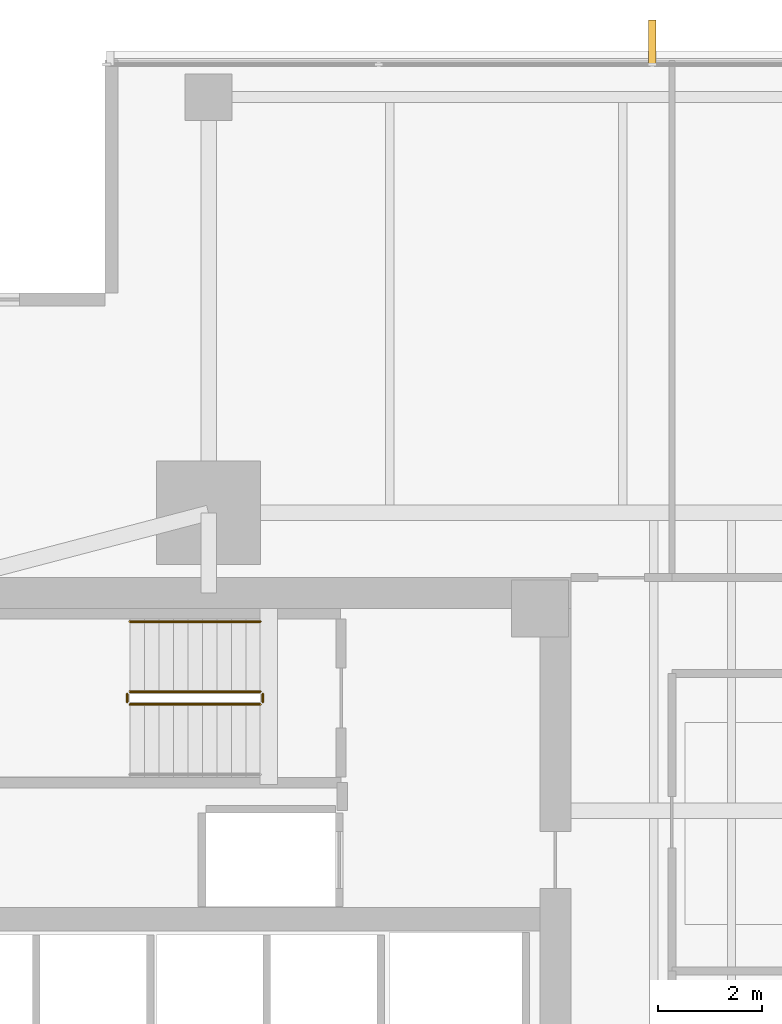
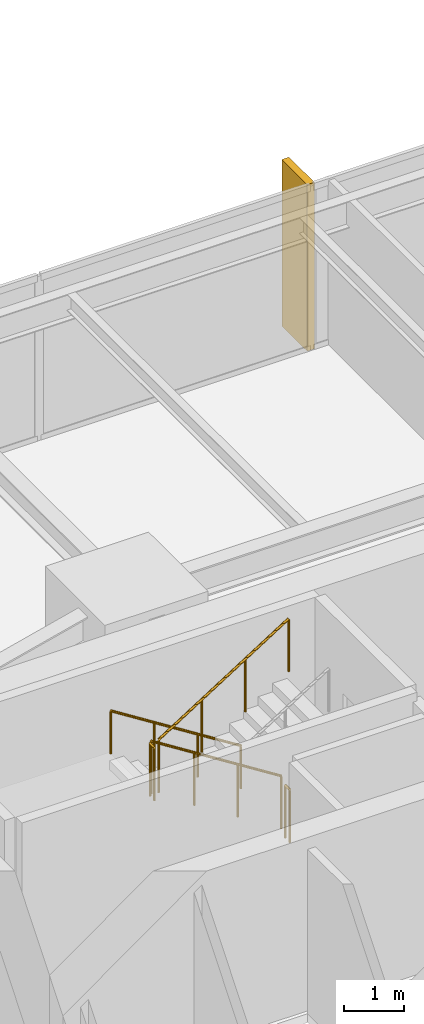
# One storey, part 13 of 14: 5 railings, 1 covering.
"""IFC4 building model written with IfcOpenShell, lengths in metres."""

import ifcopenshell
import ifcopenshell.guid

model = None  # the IFC model being written
_history = None  # IfcOwnerHistory: only IFC2X3 demands one
_inside = {}  # id of a spatial element -> (the spatial element, [elements in it])
_under = {}  # id of a project, library or spatial element -> (it, [spatial elements below it])
_declared = {}  # id of a project -> (the project, [libraries it declares])
_typed = {}  # id of a type object -> (the type object, [elements of that type])
_made_of = {}  # id of a material, layer set ... -> (it, [elements and type objects made of it])


def new_model(schema):
    """Start an empty IFC model of exactly this schema.

    Asked for "IFC4X3", IfcOpenShell would pick the latest addendum, in which some entities
    have other attributes; the version numbers below select the first issue.
    IFC2X3 requires an IfcOwnerHistory on every rooted entity: one is made here for all.
    """
    global model, _history
    if schema == "IFC4X3":
        model = ifcopenshell.file(schema_version=(4, 3, 0, 0))
    else:
        model = ifcopenshell.file(schema=schema)
    _inside.clear()
    _under.clear()
    _declared.clear()
    _typed.clear()
    _made_of.clear()
    _history = None
    if model.schema == "IFC2X3":
        org = make("IfcOrganization", Name="unknown")
        user = make(
            "IfcPersonAndOrganization",
            ThePerson=make("IfcPerson", FamilyName="unknown"),
            TheOrganization=org,
        )
        app = make(
            "IfcApplication",
            ApplicationDeveloper=org,
            Version="unknown",
            ApplicationFullName="unknown",
            ApplicationIdentifier="unknown",
        )
        _history = make(
            "IfcOwnerHistory",
            OwningUser=user,
            OwningApplication=app,
            ChangeAction="ADDED",
            CreationDate=0,
        )
    return model


def make(cls, **values):
    """One entity of the class cls with the attributes given. An attribute that is None is left unset."""
    return model.create_entity(
        cls, **{name: value for name, value in values.items() if value is not None}
    )


def rooted(cls, **values):
    """An entity with a GlobalId (a new one), such as an element, a storey or a relation."""
    return make(cls, GlobalId=ifcopenshell.guid.new(), OwnerHistory=_history, **values)


def si_unit(unit_type, name, prefix=None):
    """IfcSIUnit, for example si_unit("LENGTHUNIT", "METRE", prefix="MILLI")."""
    return make("IfcSIUnit", UnitType=unit_type, Prefix=prefix, Name=name)


def assignment(units):
    """IfcUnitAssignment: the units of a project."""
    return None if units is None else make("IfcUnitAssignment", Units=units)


def point(xyz):
    """IfcCartesianPoint."""
    return None if xyz is None else make("IfcCartesianPoint", Coordinates=xyz)


def direction(xyz):
    """IfcDirection."""
    return None if xyz is None else make("IfcDirection", DirectionRatios=xyz)


def frame(location, z_axis=None, x_axis=None):
    """IfcAxis2Placement3D, a coordinate frame: its origin and axes. An axis left out is left unset."""
    return make(
        "IfcAxis2Placement3D",
        Location=point(location),
        Axis=direction(z_axis),
        RefDirection=direction(x_axis),
    )


def frame_2d(location, x_axis=None):
    """IfcAxis2Placement2D, a coordinate frame in the plane: its origin and x axis."""
    return make(
        "IfcAxis2Placement2D", Location=point(location), RefDirection=direction(x_axis)
    )


def origin():
    """The frame at (0, 0, 0) with its axes left unset."""
    return frame((0.0, 0.0, 0.0))


def origin_2d():
    """The frame at (0, 0) in the plane with its x axis left unset."""
    return frame_2d((0.0, 0.0))


def place(relative_to, where):
    """IfcLocalPlacement: puts the frame where relative to a parent placement (None: the world)."""
    return make(
        "IfcLocalPlacement", PlacementRelTo=relative_to, RelativePlacement=where
    )


def context(
    kind, dimensions, precision=None, world=None, true_north=None, identifier=None
):
    """IfcGeometricRepresentationContext, for example the 3D "Model" context."""
    return make(
        "IfcGeometricRepresentationContext",
        ContextIdentifier=identifier,
        ContextType=kind,
        CoordinateSpaceDimension=dimensions,
        Precision=precision,
        WorldCoordinateSystem=world,
        TrueNorth=true_north,
    )


def subcontext(parent, identifier, kind, view, scale=None):
    """IfcGeometricRepresentationSubContext, for example "Body" below "Model"."""
    return make(
        "IfcGeometricRepresentationSubContext",
        ContextIdentifier=identifier,
        ContextType=kind,
        ParentContext=parent,
        TargetScale=scale,
        TargetView=view,
    )


def project(units=None, contexts=None):
    """IfcProject with its units and contexts."""
    return rooted(
        "IfcProject",
        Name="project",
        RepresentationContexts=contexts,
        UnitsInContext=assignment(units),
    )


def spatial(cls, under=None, at=None, **own):
    """A site, building, storey or space (cls), placed at a placement, below another one or the project."""
    s = rooted(cls, ObjectPlacement=at, **own)
    if under is not None:
        _under.setdefault(under.id(), (under, []))[1].append(s)
    return s


def polyline(points):
    """IfcPolyline through the points."""
    return make("IfcPolyline", Points=[point(p) for p in points])


def profile(cls, at=None, kind="AREA", **sizes):
    """A parametric profile (cls). Its sizes go by their IFC names, for example OverallWidth=200.0."""
    return make(cls, ProfileType=kind, Position=at, **sizes)


def circle(**sizes):
    """IfcCircleProfileDef."""
    return profile("IfcCircleProfileDef", **sizes)


def outline(outer, holes=None, kind="AREA"):
    """IfcArbitraryClosedProfileDef: a profile drawn as a closed curve; with holes, ...WithVoids."""
    if holes is None:
        return make("IfcArbitraryClosedProfileDef", ProfileType=kind, OuterCurve=outer)
    return make(
        "IfcArbitraryProfileDefWithVoids",
        ProfileType=kind,
        OuterCurve=outer,
        InnerCurves=holes,
    )


def extrude(swept, where, along, depth):
    """IfcExtrudedAreaSolid: the profile swept, set in the frame where, extruded along a direction by depth."""
    return make(
        "IfcExtrudedAreaSolid",
        SweptArea=swept,
        Position=where,
        ExtrudedDirection=direction(along),
        Depth=depth,
    )


def shape(context_of_items, identifier, shape_type, items):
    """IfcShapeRepresentation: the items that make up one representation, for example the "Body"."""
    return make(
        "IfcShapeRepresentation",
        ContextOfItems=context_of_items,
        RepresentationIdentifier=identifier,
        RepresentationType=shape_type,
        Items=items,
    )


def material(Name=None, Category=None):
    """IfcMaterial."""
    return make("IfcMaterial", Name=Name, Category=Category)


def layer(
    of_material, thickness, ventilated=None, Name=None, Category=None, Priority=None
):
    """IfcMaterialLayer: one layer of a wall or slab, of a material (None: an air gap)."""
    return make(
        "IfcMaterialLayer",
        Material=of_material,
        LayerThickness=thickness,
        IsVentilated=ventilated,
        Name=Name,
        Category=Category,
        Priority=Priority,
    )


def layer_set(layers, Name=None):
    """IfcMaterialLayerSet."""
    return make("IfcMaterialLayerSet", MaterialLayers=layers, LayerSetName=Name)


def made_of(thing, what):
    """Note that an element or type object is made of a material, layer set ...; save() writes the relation."""
    if what is not None:
        _made_of.setdefault(what.id(), (what, []))[1].append(thing)
    return thing


def type_object(cls, material=None, **own):
    """A type object (cls), such as IfcWallType, which elements share."""
    return made_of(rooted(cls, **own), material)


def element(
    cls,
    number,
    at=None,
    inside=None,
    cuts=None,
    type_object=None,
    material=None,
    context=None,
    identifier="Body",
    shape_type=None,
    held_by="IfcProductDefinitionShape",
    body=None,
    shapes=None,
    **own,
):
    """One element of the class cls, such as IfcWall. Its Tag is "e" and its number.

    at: its placement. inside: the storey or other place that contains it. cuts: it is an
    opening in that element (IfcRelVoidsElement). A single representation is given by context,
    identifier, shape_type and body (its items); several are given by shapes. held_by: the class
    of the entity that holds the representations. save() writes the other relations.
    """
    e = rooted(cls, Tag="e%d" % number, ObjectPlacement=at, **own)
    if body is not None:
        shapes = [shape(context, identifier, shape_type, body)]
    if shapes is not None:
        e.Representation = make(held_by, Representations=shapes)
    if inside is not None:
        _inside.setdefault(inside.id(), (inside, []))[1].append(e)
    if cuts is not None:
        rooted(
            "IfcRelVoidsElement", RelatingBuildingElement=cuts, RelatedOpeningElement=e
        )
    if type_object is not None:
        _typed.setdefault(type_object.id(), (type_object, []))[1].append(e)
    return made_of(e, material)


def aggregate(whole, parts):
    """IfcRelAggregates: a whole, such as a stair, and the parts it consists of."""
    return rooted("IfcRelAggregates", RelatingObject=whole, RelatedObjects=parts)


def save(model, path):
    """Write the relations noted so far, then the file.

    IfcRelAggregates (storeys below a building ...), IfcRelContainedInSpatialStructure (elements
    in a storey), IfcRelDefinesByType, IfcRelAssociatesMaterial and IfcRelDeclares: one each for
    every whole, place, type object, material and project.
    """
    for whole, parts in _under.values():
        aggregate(whole, parts)
    for where, things in _inside.values():
        rooted(
            "IfcRelContainedInSpatialStructure",
            RelatedElements=things,
            RelatingStructure=where,
        )
    for kind, things in _typed.values():
        rooted("IfcRelDefinesByType", RelatedObjects=things, RelatingType=kind)
    for what, things in _made_of.values():
        rooted("IfcRelAssociatesMaterial", RelatedObjects=things, RelatingMaterial=what)
    for by, libraries in _declared.values():
        rooted("IfcRelDeclares", RelatingContext=by, RelatedDefinitions=libraries)
    model.write(path)


model = new_model("IFC4")

# Units and contexts
model_context = context("Model", 3, precision=1e-05, world=origin(), true_north=direction((0.0, 1.0)))
body_context = subcontext(model_context, "Body", "Model", "MODEL_VIEW")
ifc_project = project(units=[si_unit("LENGTHUNIT", "METRE"), si_unit("AREAUNIT", "SQUARE_METRE"), si_unit("VOLUMEUNIT", "CUBIC_METRE"), si_unit("PLANEANGLEUNIT", "RADIAN"), si_unit("MASSUNIT", "GRAM", prefix="KILO")], contexts=[model_context])

# Site, building, storey
site_placement = place(None, origin())
site = spatial("IfcSite", under=ifc_project, at=site_placement, CompositionType="ELEMENT")
building_placement = place(site_placement, origin())
building = spatial("IfcBuilding", under=site, at=building_placement, Name="Kinhvarn Gate Tower", CompositionType="ELEMENT")
storey_placement = place(building_placement, frame((0.0, 0.0, 141.300048828125)))
storey = spatial("IfcBuildingStorey", under=building, at=storey_placement, Name="L37", CompositionType="ELEMENT", Elevation=141.300048828125)

# Covering
ifc_material_1 = material(Name="Fired architectural terracotta", Category="masonry")
ifc_layer = layer(ifc_material_1, 0.139892578125)
ifc_layer_set = layer_set([ifc_layer], Name="Fired architectural terracotta")
covering_type = type_object("IfcCoveringType", Name="COV-FIN-850", PredefinedType="CLADDING", material=ifc_layer_set)
covering_placement = place(storey_placement, frame((0.0, 0.0, -0.02001953125)))
element("IfcCovering", 1, at=covering_placement, inside=storey, type_object=covering_type, Name="Vertical Terracotta Expressive Fin TFN-850 (L37)", PredefinedType="CLADDING", context=body_context, shape_type="SweptSolid", body=[
    extrude(outline(polyline([(19.641357421875, 46.419921875), (19.50146484375, 46.419921875), (19.50146484375, 47.27001953125), (19.641357421875, 47.27001953125), (19.641357421875, 46.419921875)])), origin(), (0.0, 0.0, 1.0), 3.409912109375),
])

# Railings
ifc_material_2 = material(Name="Steel S355", Category="steel")
railing_type_1 = type_object("IfcRailingType", Name="RL-ST-GRD", PredefinedType="BALUSTRADE", material=ifc_material_2)
railing_1_placement = place(storey_placement, frame((12.0, 34.300048828125, 0.177490234375)))
element("IfcRailing", 2, at=railing_1_placement, inside=storey, type_object=railing_type_1, Name="L37 ST2 stair guard 1", PredefinedType="BALUSTRADE", context=body_context, shape_type="SweptSolid", body=[
    extrude(circle(Radius=0.02392578125, at=origin_2d()), frame((0.0, 0.0, 1.076171875), z_axis=(-0.84460694969, 0.0, 0.535386869969), x_axis=(0.0, -1.0, 0.0)), (0.0, 0.0, 1.0), 2.983642578125),
    extrude(circle(Radius=0.02099609375, at=origin_2d()), origin(), (0.0, 0.0, 1.0), 1.052001953125),
    extrude(circle(Radius=0.02099609375, at=origin_2d()), frame((-0.840087890625, 0.0, 0.532470703125)), (0.0, 0.0, 1.0), 1.052001953125),
    extrude(circle(Radius=0.02099609375, at=origin_2d()), frame((-1.679931640625, 0.0, 1.06494140625)), (0.0, 0.0, 1.0), 1.052001953125),
    extrude(circle(Radius=0.02099609375, at=origin_2d()), frame((-2.52001953125, 0.0, 1.597412109375)), (0.0, 0.0, 1.0), 1.052001953125),
])
railing_2_placement = place(storey_placement, frame((9.429931640625, 34.25, 1.77490234375)))
element("IfcRailing", 3, at=railing_2_placement, inside=storey, type_object=railing_type_1, Name="L37 ST2 stair guard 2", PredefinedType="BALUSTRADE", context=body_context, shape_type="SweptSolid", body=[
    extrude(circle(Radius=0.02392578125, at=origin_2d()), frame((0.0, 0.0, 1.076171875), z_axis=(0.0, -1.0, 0.0), x_axis=(1.0, 0.0, 0.0)), (0.0, 0.0, 1.0), 0.14990234375),
    extrude(circle(Radius=0.02099609375, at=origin_2d()), origin(), (0.0, 0.0, 1.0), 1.052001953125),
    extrude(circle(Radius=0.02099609375, at=origin_2d()), frame((0.0, -0.14990234375, 0.0)), (0.0, 0.0, 1.0), 1.052001953125),
])
railing_3_placement = place(storey_placement, frame((9.47998046875, 34.050048828125, 1.952392578125)))
element("IfcRailing", 4, at=railing_3_placement, inside=storey, type_object=railing_type_1, Name="L37 ST2 stair guard 3", PredefinedType="BALUSTRADE", context=body_context, shape_type="SweptSolid", body=[
    extrude(circle(Radius=0.02392578125, at=origin_2d()), frame((0.0, 0.0, 1.076171875), z_axis=(0.84456994832, 0.0, 0.535445237532), x_axis=(0.0, 1.0, 0.0)), (0.0, 0.0, 1.0), 2.98388671875),
    extrude(circle(Radius=0.02099609375, at=origin_2d()), origin(), (0.0, 0.0, 1.0), 1.052001953125),
    extrude(circle(Radius=0.02099609375, at=origin_2d()), frame((0.840087890625, 0.0, 0.532470703125)), (0.0, 0.0, 1.0), 1.052001953125),
    extrude(circle(Radius=0.02099609375, at=origin_2d()), frame((1.679931640625, 0.0, 1.065185546875)), (0.0, 0.0, 1.0), 1.052001953125),
    extrude(circle(Radius=0.02099609375, at=origin_2d()), frame((2.52001953125, 0.0, 1.59765625)), (0.0, 0.0, 1.0), 1.052001953125),
])
railing_4_placement = place(storey_placement, frame((12.050048828125, 34.25, 0.0)))
element("IfcRailing", 5, at=railing_4_placement, inside=storey, type_object=railing_type_1, Name="L37 ST2 stair guard 4", PredefinedType="BALUSTRADE", context=body_context, shape_type="SweptSolid", body=[
    extrude(circle(Radius=0.02392578125, at=origin_2d()), frame((0.0, 0.0, 1.076171875), z_axis=(0.0, -1.0, 0.0), x_axis=(1.0, 0.0, 0.0)), (0.0, 0.0, 1.0), 0.14990234375),
    extrude(circle(Radius=0.02099609375, at=origin_2d()), origin(), (0.0, 0.0, 1.0), 1.052001953125),
    extrude(circle(Radius=0.02099609375, at=origin_2d()), frame((0.0, -0.14990234375, 0.0)), (0.0, 0.0, 1.0), 1.052001953125),
])
railing_type_2 = type_object("IfcRailingType", Name="RL-ST-HND", PredefinedType="HANDRAIL", material=ifc_material_2)
railing_5_placement = place(storey_placement, frame((12.0, 35.64990234375, 0.177490234375)))
element("IfcRailing", 6, at=railing_5_placement, inside=storey, type_object=railing_type_2, Name="L37 ST2 stair handrail 1", PredefinedType="HANDRAIL", context=body_context, shape_type="SweptSolid", body=[
    extrude(circle(Radius=0.02392578125, at=origin_2d()), frame((0.0, 0.0, 0.8759765625), z_axis=(-0.84460694969, 0.0, 0.535386869969), x_axis=(0.0, -1.0, 0.0)), (0.0, 0.0, 1.0), 2.983642578125),
    extrude(circle(Radius=0.02099609375, at=origin_2d()), origin(), (0.0, 0.0, 1.0), 0.851806640625),
    extrude(circle(Radius=0.02099609375, at=origin_2d()), frame((-0.840087890625, 0.0, 0.532470703125)), (0.0, 0.0, 1.0), 0.851806640625),
    extrude(circle(Radius=0.02099609375, at=origin_2d()), frame((-1.679931640625, 0.0, 1.06494140625)), (0.0, 0.0, 1.0), 0.851806640625),
    extrude(circle(Radius=0.02099609375, at=origin_2d()), frame((-2.52001953125, 0.0, 1.597412109375)), (0.0, 0.0, 1.0), 0.851806640625),
])

save(model, "model.ifc")
